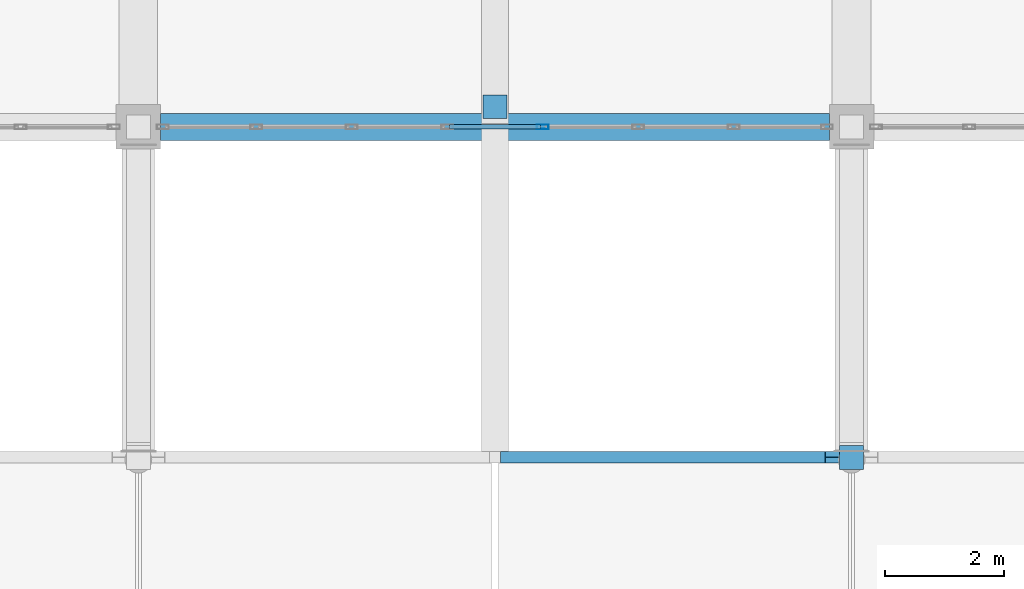
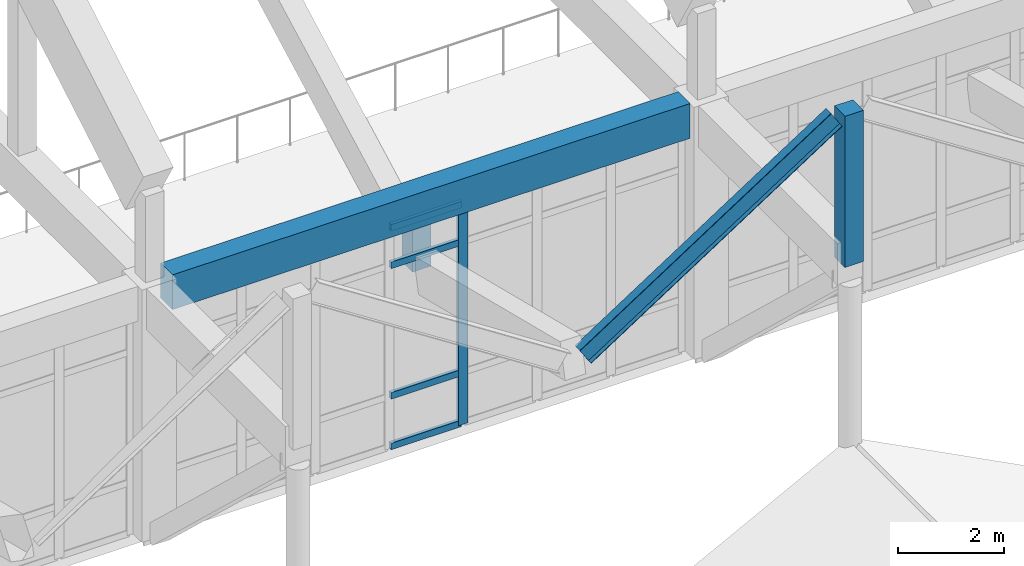
# One storey, part 50 of 236: 7 members, 2 beams, 1 element without a shape of its own.
"""IFC4 building model written with IfcOpenShell, lengths in metres."""

from ifc_helpers import new_model, si_unit, direction, frame, origin, origin_2d, place, context, subcontext, project, spatial, rectangle, hollow_rectangle, i_section, extrude, material, layer, layer_set, material_profile, profile_set, type_object, element, aggregate, save


model = new_model("IFC4")

# Units and contexts
model_context = context("Model", 3, precision=1e-05, world=origin(), true_north=direction((0.0, 1.0)))
body_context = subcontext(model_context, "Body", "Model", "MODEL_VIEW")
ifc_project = project(units=[si_unit("LENGTHUNIT", "METRE"), si_unit("AREAUNIT", "SQUARE_METRE"), si_unit("VOLUMEUNIT", "CUBIC_METRE"), si_unit("PLANEANGLEUNIT", "RADIAN"), si_unit("MASSUNIT", "GRAM", prefix="KILO")], contexts=[model_context])

# Site, building, storey
site_placement = place(None, origin())
site = spatial("IfcSite", under=ifc_project, at=site_placement, CompositionType="ELEMENT")
building_placement = place(site_placement, origin())
building = spatial("IfcBuilding", under=site, at=building_placement, Name="Pandanus Reach Market Hall", CompositionType="ELEMENT")
storey_placement = place(building_placement, frame((0.0, 0.0, 5.39990234375)))
storey = spatial("IfcBuildingStorey", under=building, at=storey_placement, Name="L01", CompositionType="ELEMENT", Elevation=5.39990234375)

# Members
ifc_material_1 = material(Name="Concrete N50 (50 MPa)", Category="concrete")
ifc_material_profile_1 = material_profile(ifc_material_1, rectangle(XDim=0.39990234375, YDim=0.39990234375, at=origin_2d()), Name="RC400x400", Category="LoadBearing")
ifc_profile_set_1 = profile_set([ifc_material_profile_1], Name="Concrete N50 (50 MPa)")
member_type_1 = type_object("IfcMemberType", Name="AR-WEB400-E", PredefinedType="STRUT", material=ifc_profile_set_1)
member_1_placement = place(storey_placement, frame((84.0, 23.239990234375, 5.3251953125), z_axis=(0.0, 0.0, 1.0), x_axis=(1.0, 0.0, 0.0)))
element("IfcMember", 1, at=member_1_placement, inside=storey, type_object=member_type_1, Name="Zigzag eaves ridge post A4.S", PredefinedType="STRUT", context=body_context, shape_type="SweptSolid", body=[
    extrude(rectangle(XDim=0.39990234375, YDim=0.39990234375, at=origin_2d()), origin(), (0.0, 0.0, 1.0), 3.474853515625),
])
member_2_placement = place(storey_placement, frame((78.0, 29.139892578125, 3.739990234375), z_axis=(0.0, 0.0, 1.0), x_axis=(1.0, 0.0, 0.0)))
element("IfcMember", 2, at=member_2_placement, inside=storey, type_object=member_type_1, Name="Butterfly south eave valley hanger B3S", PredefinedType="STRUT", context=body_context, shape_type="SweptSolid", body=[
    extrude(rectangle(XDim=0.39990234375, YDim=0.39990234375, at=origin_2d()), origin(), (0.0, 0.0, 1.0), 1.66015625),
])

# Beams
ifc_material_2 = material(Name="Concrete N40 (40 MPa)", Category="concrete")
ifc_material_profile_2 = material_profile(ifc_material_2, rectangle(XDim=0.449951171875, YDim=0.800048828125, at=origin_2d()), Name="RC450x800", Category="LoadBearing")
ifc_profile_set_2 = profile_set([ifc_material_profile_2], Name="Concrete N40 (40 MPa)")
beam_type_1 = type_object("IfcBeamType", Name="BM-RC450-E", PredefinedType="SPANDREL", material=ifc_profile_set_2)
beam_1_placement = place(storey_placement, frame((72.373046875, 28.800048828125, 5.400146484375), z_axis=(1.0, 0.0, 0.0), x_axis=(0.0, 1.0, 0.0)))
element("IfcBeam", 3, at=beam_1_placement, inside=storey, type_object=beam_type_1, Name="Framing beam BM-RC450-E L01.1140", PredefinedType="SPANDREL", context=body_context, shape_type="SweptSolid", body=[
    extrude(rectangle(XDim=0.449951171875, YDim=0.800048828125, at=origin_2d()), origin(), (0.0, 0.0, 1.0), 11.25390625),
])
ifc_material_3 = material(Name="Steel Grade 350 (350 MPa)", Category="steel")
ifc_material_profile_3 = material_profile(ifc_material_3, i_section(OverallWidth=0.18994140625, OverallDepth=0.45703125, WebThickness=0.009033203125, FlangeThickness=0.014404296875, at=origin_2d()), Name="460UB74.6", Category="LoadBearing")
ifc_profile_set_3 = profile_set([ifc_material_profile_3], Name="Steel Grade 350 (350 MPa)")
beam_type_2 = type_object("IfcBeamType", Name="BM-UB460-E", PredefinedType="BEAM", material=ifc_profile_set_3)
beam_2_placement = place(storey_placement, frame((78.219970703125, 23.239990234375, 5.16015625), z_axis=(0.839070527962, 0.0, 0.544022654956), x_axis=(0.0, 1.0, 0.0)))
element("IfcBeam", 4, at=beam_2_placement, inside=storey, type_object=beam_type_2, Name="Butterfly south fringe rib B3.0R", PredefinedType="BEAM", context=body_context, shape_type="SweptSolid", body=[
    extrude(i_section(OverallWidth=0.18994140625, OverallDepth=0.45703125, WebThickness=0.009033203125, FlangeThickness=0.014404296875, at=origin_2d()), origin(), (0.0, 0.0, 1.0), 6.507080078125),
])

# Curtain wall, members
ifc_material_4 = material(Name="Bronze anodised aluminium and low-E glass", Category="aluminium")
ifc_layer = layer(ifc_material_4, 0.199951171875, Name="CW-02")
ifc_layer_set = layer_set([ifc_layer], Name="Bronze anodised aluminium and low-E glass")
curtain_wall_type = type_object("IfcCurtainWallType", Name="CW-02", PredefinedType="NOTDEFINED", material=ifc_layer_set)
curtain_wall_placement = place(storey_placement, origin())
curtain_wall = element("IfcCurtainWall", 5, at=curtain_wall_placement, inside=storey, type_object=curtain_wall_type, Name="Glazed curtain wall CW-02 CW-0004", PredefinedType="NOTDEFINED")
ifc_material_5 = material(Name="Bronze anodised aluminium", Category="aluminium")
ifc_material_profile_4 = material_profile(ifc_material_5, hollow_rectangle(XDim=0.074951171875, YDim=0.199951171875, WallThickness=0.00439453125, at=origin_2d()), Name="ALU75x200", Category="LoadBearing")
ifc_profile_set_4 = profile_set([ifc_material_profile_4], Name="Bronze anodised aluminium")
member_type_2 = type_object("IfcMemberType", Name="CW-M2", PredefinedType="MULLION", material=ifc_profile_set_4)
member_3_placement = place(storey_placement, frame((78.803466796875, 28.800048828125, 0.0), z_axis=(0.0, 0.0, 1.0), x_axis=(0.0, 1.0, 0.0)))
member_3 = element("IfcMember", 6, at=member_3_placement, type_object=member_type_2, Name="CW-02 mullion 5", PredefinedType="MULLION", context=body_context, shape_type="SweptSolid", body=[
    extrude(hollow_rectangle(XDim=0.074951171875, YDim=0.199951171875, WallThickness=0.00439453125, at=origin_2d()), origin(), (0.0, 0.0, 1.0), 5.10009765625),
])
ifc_material_profile_5 = material_profile(ifc_material_5, hollow_rectangle(XDim=0.074951171875, YDim=0.14990234375, WallThickness=0.00439453125, at=origin_2d()), Name="ALU75x150", Category="LoadBearing")
ifc_profile_set_5 = profile_set([ifc_material_profile_5], Name="Bronze anodised aluminium")
member_type_3 = type_object("IfcMemberType", Name="CW-T2", PredefinedType="USERDEFINED", material=ifc_profile_set_5)
member_4_placement = place(storey_placement, frame((77.23388671875, 28.800048828125, 0.03759765625), z_axis=(1.0, 0.0, 0.0), x_axis=(0.0, 1.0, 0.0)))
member_4 = element("IfcMember", 7, at=member_4_placement, type_object=member_type_3, Name="CW-02 transom 4.1", ObjectType="TRANSOM", PredefinedType="USERDEFINED", context=body_context, shape_type="SweptSolid", body=[
    extrude(hollow_rectangle(XDim=0.074951171875, YDim=0.14990234375, WallThickness=0.00439453125, at=origin_2d()), origin(), (0.0, 0.0, 1.0), 1.5322265625),
])
member_5_placement = place(storey_placement, frame((77.23388671875, 28.800048828125, 1.2001953125), z_axis=(1.0, 0.0, 0.0), x_axis=(0.0, 1.0, 0.0)))
member_5 = element("IfcMember", 8, at=member_5_placement, type_object=member_type_3, Name="CW-02 transom 4.2", ObjectType="TRANSOM", PredefinedType="USERDEFINED", context=body_context, shape_type="SweptSolid", body=[
    extrude(hollow_rectangle(XDim=0.074951171875, YDim=0.14990234375, WallThickness=0.00439453125, at=origin_2d()), origin(), (0.0, 0.0, 1.0), 1.5322265625),
])
member_6_placement = place(storey_placement, frame((77.23388671875, 28.800048828125, 4.2001953125), z_axis=(1.0, 0.0, 0.0), x_axis=(0.0, 1.0, 0.0)))
member_6 = element("IfcMember", 9, at=member_6_placement, type_object=member_type_3, Name="CW-02 transom 4.3", ObjectType="TRANSOM", PredefinedType="USERDEFINED", context=body_context, shape_type="SweptSolid", body=[
    extrude(hollow_rectangle(XDim=0.074951171875, YDim=0.14990234375, WallThickness=0.00439453125, at=origin_2d()), origin(), (0.0, 0.0, 1.0), 1.5322265625),
])
member_7_placement = place(storey_placement, frame((77.23388671875, 28.800048828125, 5.0625), z_axis=(1.0, 0.0, 0.0), x_axis=(0.0, 1.0, 0.0)))
member_7 = element("IfcMember", 10, at=member_7_placement, type_object=member_type_3, Name="CW-02 transom 4.4", ObjectType="TRANSOM", PredefinedType="USERDEFINED", context=body_context, shape_type="SweptSolid", body=[
    extrude(hollow_rectangle(XDim=0.074951171875, YDim=0.14990234375, WallThickness=0.00439453125, at=origin_2d()), origin(), (0.0, 0.0, 1.0), 1.5322265625),
])
aggregate(curtain_wall, [member_3, member_4, member_5, member_6, member_7])

save(model, "model.ifc")
